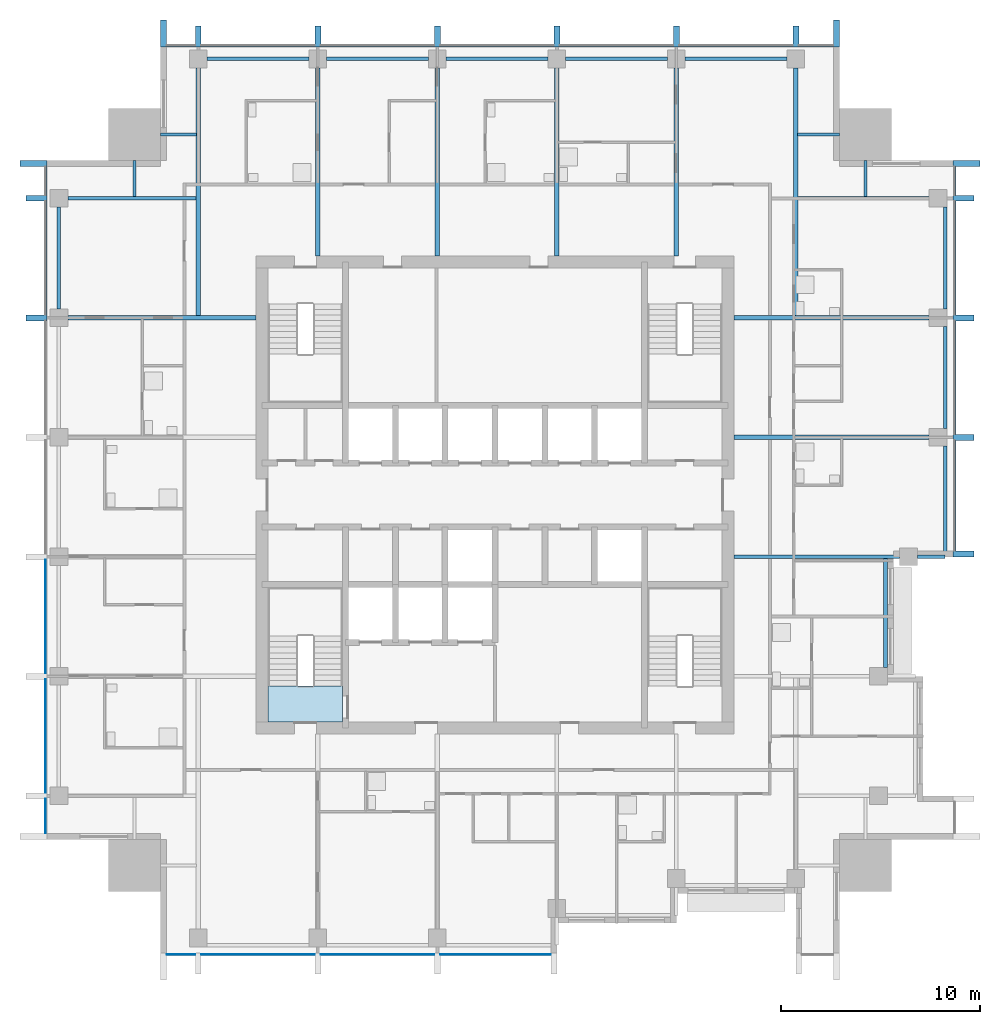
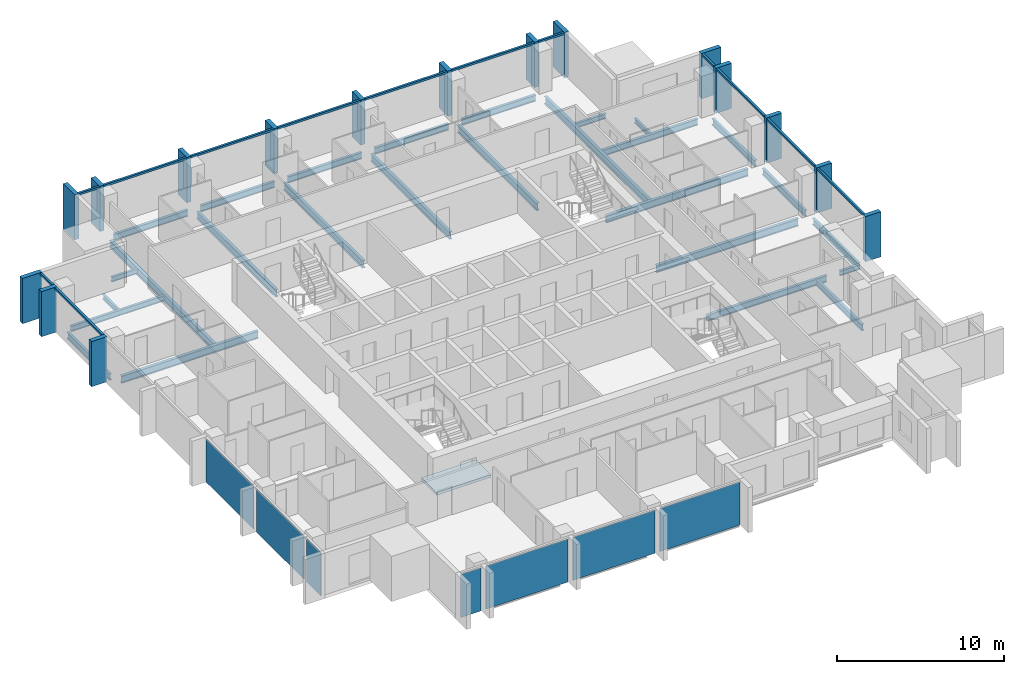
# One storey, part 2 of 10: 29 members, 27 beams, 7 plates, 1 slab, 5 elements without a shape of their own.
"""IFC4 building model written with IfcOpenShell, lengths in metres."""

from ifc_helpers import new_model, si_unit, direction, frame, origin, origin_2d, place, context, subcontext, project, spatial, polyline, rectangle, i_section, outline, extrude, material, layer, layer_set, material_profile, profile_set, type_object, element, aggregate, save


model = new_model("IFC4")

# Units and contexts
model_context = context("Model", 3, precision=1e-05, world=origin(), true_north=direction((0.0, 1.0)))
body_context = subcontext(model_context, "Body", "Model", "MODEL_VIEW")
ifc_project = project(units=[si_unit("LENGTHUNIT", "METRE"), si_unit("AREAUNIT", "SQUARE_METRE"), si_unit("VOLUMEUNIT", "CUBIC_METRE"), si_unit("PLANEANGLEUNIT", "RADIAN"), si_unit("MASSUNIT", "GRAM", prefix="KILO")], contexts=[model_context])

# Site, building, storey
site_placement = place(None, origin())
site = spatial("IfcSite", under=ifc_project, at=site_placement, CompositionType="ELEMENT")
building_placement = place(site_placement, origin())
building = spatial("IfcBuilding", under=site, at=building_placement, Name="Amberfall Residences", CompositionType="ELEMENT")
storey_placement = place(building_placement, frame((0.0, 0.0, 200.199951171875)))
storey = spatial("IfcBuildingStorey", under=building, at=storey_placement, Name="L53", CompositionType="ELEMENT", Elevation=200.199951171875)

# Curtain wall, members
ifc_material_1 = material(Name="Bronze anodised aluminium and glass", Category="aluminium")
curtain_wall_type = type_object("IfcCurtainWallType", Name="Curtain wall CW1 tower unit", PredefinedType="USERDEFINED", material=ifc_material_1)
curtain_wall_1_placement = place(storey_placement, origin())
curtain_wall_1 = element("IfcCurtainWall", 1, at=curtain_wall_1_placement, inside=storey, type_object=curtain_wall_type, Name="Curtain wall L53 E E7", ObjectType="UNITISED CURTAIN WALL", PredefinedType="USERDEFINED")
ifc_material_2 = material(Name="Bronze anodised aluminium", Category="aluminium")
ifc_material_profile_1 = material_profile(ifc_material_2, rectangle(XDim=0.14990234375, YDim=0.14990234375, at=origin_2d()), Name="CW1 transom 150 x 150 bronze")
ifc_profile_set_1 = profile_set([ifc_material_profile_1], Name="Bronze anodised aluminium")
member_type_1 = type_object("IfcMemberType", Name="CW1 transom 150 x 150 bronze", PredefinedType="USERDEFINED", material=ifc_profile_set_1)
member_1_placement = place(storey_placement, frame((97.574951171875, 42.699951171875, 2.97509765625), z_axis=(0.0, 1.0, 0.0), x_axis=(-1.0, 0.0, 0.0)))
member_1 = element("IfcMember", 2, at=member_1_placement, type_object=member_type_1, Name="CW1 transom 1.1", ObjectType="TRANSOM", PredefinedType="USERDEFINED", context=body_context, shape_type="SweptSolid", body=[
    extrude(rectangle(XDim=0.14990234375, YDim=0.14990234375, at=origin_2d()), origin(), (0.0, 0.0, 1.0), 5.550048828125),
])
member_2_placement = place(storey_placement, frame((97.574951171875, 48.550048828125, 2.97509765625), z_axis=(0.0, 1.0, 0.0), x_axis=(-1.0, 0.0, 0.0)))
member_2 = element("IfcMember", 3, at=member_2_placement, type_object=member_type_1, Name="CW1 transom 2.1", ObjectType="TRANSOM", PredefinedType="USERDEFINED", context=body_context, shape_type="SweptSolid", body=[
    extrude(rectangle(XDim=0.14990234375, YDim=0.14990234375, at=origin_2d()), origin(), (0.0, 0.0, 1.0), 5.699951171875),
])
member_3_placement = place(storey_placement, frame((97.574951171875, 54.550048828125, 2.97509765625), z_axis=(0.0, 1.0, 0.0), x_axis=(-1.0, 0.0, 0.0)))
member_3 = element("IfcMember", 4, at=member_3_placement, type_object=member_type_1, Name="CW1 transom 3.1", ObjectType="TRANSOM", PredefinedType="USERDEFINED", context=body_context, shape_type="SweptSolid", body=[
    extrude(rectangle(XDim=0.14990234375, YDim=0.14990234375, at=origin_2d()), origin(), (0.0, 0.0, 1.0), 5.699951171875),
])
member_4_placement = place(storey_placement, frame((97.574951171875, 60.550048828125, 2.97509765625), z_axis=(0.0, 1.0, 0.0), x_axis=(-1.0, 0.0, 0.0)))
member_4 = element("IfcMember", 5, at=member_4_placement, type_object=member_type_1, Name="CW1 transom 4.1", ObjectType="TRANSOM", PredefinedType="USERDEFINED", context=body_context, shape_type="SweptSolid", body=[
    extrude(rectangle(XDim=0.14990234375, YDim=0.14990234375, at=origin_2d()), origin(), (0.0, 0.0, 1.0), 1.449951171875),
])

curtain_wall_2_placement = place(storey_placement, origin())
curtain_wall_2 = element("IfcCurtainWall", 6, at=curtain_wall_2_placement, inside=storey, type_object=curtain_wall_type, Name="Curtain wall L53 N N1", ObjectType="UNITISED CURTAIN WALL", PredefinedType="USERDEFINED")
member_5_placement = place(storey_placement, frame((91.5, 68.074951171875, 2.97509765625), z_axis=(-1.0, 0.0, 0.0), x_axis=(0.0, -1.0, 0.0)))
member_5 = element("IfcMember", 7, at=member_5_placement, type_object=member_type_1, Name="CW1 transom 1.1", ObjectType="TRANSOM", PredefinedType="USERDEFINED", context=body_context, shape_type="SweptSolid", body=[
    extrude(rectangle(XDim=0.14990234375, YDim=0.14990234375, at=origin_2d()), origin(), (0.0, 0.0, 1.0), 1.75),
])
member_6_placement = place(storey_placement, frame((89.449951171875, 68.074951171875, 2.97509765625), z_axis=(-1.0, 0.0, 0.0), x_axis=(0.0, -1.0, 0.0)))
member_6 = element("IfcMember", 8, at=member_6_placement, type_object=member_type_1, Name="CW1 transom 2.1", ObjectType="TRANSOM", PredefinedType="USERDEFINED", context=body_context, shape_type="SweptSolid", body=[
    extrude(rectangle(XDim=0.14990234375, YDim=0.14990234375, at=origin_2d()), origin(), (0.0, 0.0, 1.0), 5.699951171875),
])
member_7_placement = place(storey_placement, frame((83.449951171875, 68.074951171875, 2.97509765625), z_axis=(-1.0, 0.0, 0.0), x_axis=(0.0, -1.0, 0.0)))
member_7 = element("IfcMember", 9, at=member_7_placement, type_object=member_type_1, Name="CW1 transom 3.1", ObjectType="TRANSOM", PredefinedType="USERDEFINED", context=body_context, shape_type="SweptSolid", body=[
    extrude(rectangle(XDim=0.14990234375, YDim=0.14990234375, at=origin_2d()), origin(), (0.0, 0.0, 1.0), 5.699951171875),
])
member_8_placement = place(storey_placement, frame((77.449951171875, 68.074951171875, 2.97509765625), z_axis=(-1.0, 0.0, 0.0), x_axis=(0.0, -1.0, 0.0)))
member_8 = element("IfcMember", 10, at=member_8_placement, type_object=member_type_1, Name="CW1 transom 4.1", ObjectType="TRANSOM", PredefinedType="USERDEFINED", context=body_context, shape_type="SweptSolid", body=[
    extrude(rectangle(XDim=0.14990234375, YDim=0.14990234375, at=origin_2d()), origin(), (0.0, 0.0, 1.0), 5.699951171875),
])
member_9_placement = place(storey_placement, frame((71.449951171875, 68.074951171875, 2.97509765625), z_axis=(-1.0, 0.0, 0.0), x_axis=(0.0, -1.0, 0.0)))
member_9 = element("IfcMember", 11, at=member_9_placement, type_object=member_type_1, Name="CW1 transom 5.1", ObjectType="TRANSOM", PredefinedType="USERDEFINED", context=body_context, shape_type="SweptSolid", body=[
    extrude(rectangle(XDim=0.14990234375, YDim=0.14990234375, at=origin_2d()), origin(), (0.0, 0.0, 1.0), 5.699951171875),
])
member_10_placement = place(storey_placement, frame((65.449951171875, 68.074951171875, 2.97509765625), z_axis=(-1.0, 0.0, 0.0), x_axis=(0.0, -1.0, 0.0)))
member_10 = element("IfcMember", 12, at=member_10_placement, type_object=member_type_1, Name="CW1 transom 6.1", ObjectType="TRANSOM", PredefinedType="USERDEFINED", context=body_context, shape_type="SweptSolid", body=[
    extrude(rectangle(XDim=0.14990234375, YDim=0.14990234375, at=origin_2d()), origin(), (0.0, 0.0, 1.0), 5.699951171875),
])
member_11_placement = place(storey_placement, frame((59.449951171875, 68.074951171875, 2.97509765625), z_axis=(-1.0, 0.0, 0.0), x_axis=(0.0, -1.0, 0.0)))
member_11 = element("IfcMember", 13, at=member_11_placement, type_object=member_type_1, Name="CW1 transom 7.1", ObjectType="TRANSOM", PredefinedType="USERDEFINED", context=body_context, shape_type="SweptSolid", body=[
    extrude(rectangle(XDim=0.14990234375, YDim=0.14990234375, at=origin_2d()), origin(), (0.0, 0.0, 1.0), 1.449951171875),
])

curtain_wall_3_placement = place(storey_placement, origin())
curtain_wall_3 = element("IfcCurtainWall", 14, at=curtain_wall_3_placement, inside=storey, type_object=curtain_wall_type, Name="Curtain wall L53 W W1", ObjectType="UNITISED CURTAIN WALL", PredefinedType="USERDEFINED")
member_12_placement = place(storey_placement, frame((51.925048828125, 62.0, 2.97509765625), z_axis=(0.0, -1.0, 0.0), x_axis=(1.0, 0.0, 0.0)))
member_12 = element("IfcMember", 15, at=member_12_placement, type_object=member_type_1, Name="CW1 transom 1.1", ObjectType="TRANSOM", PredefinedType="USERDEFINED", context=body_context, shape_type="SweptSolid", body=[
    extrude(rectangle(XDim=0.14990234375, YDim=0.14990234375, at=origin_2d()), origin(), (0.0, 0.0, 1.0), 1.449951171875),
])
member_13_placement = place(storey_placement, frame((51.925048828125, 60.25, 2.97509765625), z_axis=(0.0, -1.0, 0.0), x_axis=(1.0, 0.0, 0.0)))
member_13 = element("IfcMember", 16, at=member_13_placement, type_object=member_type_1, Name="CW1 transom 2.1", ObjectType="TRANSOM", PredefinedType="USERDEFINED", context=body_context, shape_type="SweptSolid", body=[
    extrude(rectangle(XDim=0.14990234375, YDim=0.14990234375, at=origin_2d()), origin(), (0.0, 0.0, 1.0), 5.699951171875),
])

# Beam
ifc_material_3 = material(Name="Steel S355", Category="steel")
ifc_material_profile_2 = material_profile(ifc_material_3, i_section(OverallWidth=0.171142578125, OverallDepth=0.351318359375, WebThickness=0.007080078125, FlangeThickness=0.009765625, FilletRadius=0.01025390625, at=origin_2d()), Name="UB 356x171x45")
ifc_profile_set_2 = profile_set([ifc_material_profile_2], Name="Steel S355")
beam_type_1 = type_object("IfcBeamType", Name="Cantilever girder UB 356x171x45", PredefinedType="BEAM", material=ifc_profile_set_2)
beam_1_placement = place(storey_placement, frame((95.699951171875, 42.39990234375, -0.425537109375), z_axis=(1.0, 0.0, 0.0), x_axis=(0.0, 1.0, 0.0)))
element("IfcBeam", 17, at=beam_1_placement, inside=storey, type_object=beam_type_1, Name="Cantilever girder B8 L53 21", PredefinedType="BEAM", context=body_context, shape_type="SweptSolid", body=[
    extrude(i_section(OverallWidth=0.171142578125, OverallDepth=0.351318359375, WebThickness=0.007080078125, FlangeThickness=0.009765625, FilletRadius=0.01025390625, at=origin_2d()), origin(), (0.0, 0.0, 1.0), 1.400146484375),
])

# Member
ifc_material_profile_3 = material_profile(ifc_material_2, rectangle(XDim=1.35009765625, YDim=0.300048828125, at=origin_2d()), Name="Corner fin 300 x 1350 bronze")
ifc_profile_set_3 = profile_set([ifc_material_profile_3], Name="Bronze anodised aluminium")
member_type_2 = type_object("IfcMemberType", Name="Corner fin 300 x 1350 bronze", PredefinedType="MULLION", material=ifc_profile_set_3)
member_14_placement = place(storey_placement, frame((98.175048828125, 62.14990234375, -0.25), z_axis=(0.0, 0.0, 1.0), x_axis=(-1.0, 0.0, 0.0)))
member_14 = element("IfcMember", 18, at=member_14_placement, type_object=member_type_2, Name="CW FIN 5", PredefinedType="MULLION", context=body_context, shape_type="SweptSolid", body=[
    extrude(rectangle(XDim=1.35009765625, YDim=0.300048828125, at=origin_2d()), origin(), (0.0, 0.0, 1.0), 3.300048828125),
])

member_15_placement = place(storey_placement, frame((91.64990234375, 68.675048828125, -0.25), z_axis=(0.0, 0.0, 1.0), x_axis=(0.0, -1.0, 0.0)))
member_15 = element("IfcMember", 19, at=member_15_placement, type_object=member_type_2, Name="CW FIN 1", PredefinedType="MULLION", context=body_context, shape_type="SweptSolid", body=[
    extrude(rectangle(XDim=1.35009765625, YDim=0.300048828125, at=origin_2d()), origin(), (0.0, 0.0, 1.0), 3.300048828125),
])

member_16_placement = place(storey_placement, frame((57.85009765625, 68.675048828125, -0.25), z_axis=(0.0, 0.0, 1.0), x_axis=(0.0, -1.0, 0.0)))
member_16 = element("IfcMember", 20, at=member_16_placement, type_object=member_type_2, Name="CW FIN 8", PredefinedType="MULLION", context=body_context, shape_type="SweptSolid", body=[
    extrude(rectangle(XDim=1.35009765625, YDim=0.300048828125, at=origin_2d()), origin(), (0.0, 0.0, 1.0), 3.300048828125),
])

member_17_placement = place(storey_placement, frame((51.324951171875, 62.14990234375, -0.25), z_axis=(0.0, 0.0, 1.0), x_axis=(1.0, 0.0, 0.0)))
member_17 = element("IfcMember", 21, at=member_17_placement, type_object=member_type_2, Name="CW FIN 1", PredefinedType="MULLION", context=body_context, shape_type="SweptSolid", body=[
    extrude(rectangle(XDim=1.35009765625, YDim=0.300048828125, at=origin_2d()), origin(), (0.0, 0.0, 1.0), 3.300048828125),
])

# Beams
ifc_material_profile_4 = material_profile(ifc_material_3, i_section(OverallWidth=0.18994140625, OverallDepth=0.453369140625, WebThickness=0.008544921875, FlangeThickness=0.0126953125, FilletRadius=0.01025390625, at=origin_2d()), Name="UB 457x191x67")
ifc_profile_set_4 = profile_set([ifc_material_profile_4], Name="Steel S355")
beam_type_2 = type_object("IfcBeamType", Name="Edge beam UB 457x191x67", PredefinedType="SPANDREL", material=ifc_profile_set_4)
for number, where, z_axis, x_axis, name in (
    (22, (94.10009765625, 36.85009765625, -0.4765625), (0.0, 1.0, 0.0), (-1.0, 0.0, 0.0), "Edge beam B1 L53 15"),
    (23, (97.10009765625, 42.47998046875, -0.4765625), (0.0, 1.0, 0.0), (-1.0, 0.0, 0.0), "Edge beam B1 L53 16"),
):
    element("IfcBeam", number, at=place(storey_placement, frame(where, z_axis=z_axis, x_axis=x_axis)), inside=storey, type_object=beam_type_2, Name=name, PredefinedType="SPANDREL", context=body_context, shape_type="SweptSolid", body=[
        extrude(i_section(OverallWidth=0.18994140625, OverallDepth=0.453369140625, WebThickness=0.008544921875, FlangeThickness=0.0126953125, FilletRadius=0.01025390625, at=origin_2d()), origin(), (0.0, 0.0, 1.0), 5.469970703125),
    ])
for number, where, z_axis, x_axis, name in (
    (24, (97.10009765625, 48.85009765625, -0.4765625), (0.0, 1.0, 0.0), (-1.0, 0.0, 0.0), "Edge beam B1 L53 17"),
    (25, (97.10009765625, 54.85009765625, -0.4765625), (0.0, 1.0, 0.0), (-1.0, 0.0, 0.0), "Edge beam B1 L53 18"),
    (26, (60.050048828125, 67.39990234375, -0.4765625), (1.0, 0.0, 0.0), (0.0, 1.0, 0.0), "Edge beam B1 L53 28"),
    (27, (66.050048828125, 67.39990234375, -0.4765625), (1.0, 0.0, 0.0), (0.0, 1.0, 0.0), "Edge beam B1 L53 29"),
    (28, (72.050048828125, 67.39990234375, -0.4765625), (1.0, 0.0, 0.0), (0.0, 1.0, 0.0), "Edge beam B1 L53 30"),
    (29, (78.050048828125, 67.39990234375, -0.4765625), (1.0, 0.0, 0.0), (0.0, 1.0, 0.0), "Edge beam B1 L53 31"),
    (30, (84.050048828125, 67.39990234375, -0.4765625), (1.0, 0.0, 0.0), (0.0, 1.0, 0.0), "Edge beam B1 L53 32"),
    (31, (52.60009765625, 54.85009765625, -0.4765625), (0.0, 1.0, 0.0), (-1.0, 0.0, 0.0), "Edge beam B1 L53 43"),
):
    element("IfcBeam", number, at=place(storey_placement, frame(where, z_axis=z_axis, x_axis=x_axis)), inside=storey, type_object=beam_type_2, Name=name, PredefinedType="SPANDREL", context=body_context, shape_type="SweptSolid", body=[
        extrude(i_section(OverallWidth=0.18994140625, OverallDepth=0.453369140625, WebThickness=0.008544921875, FlangeThickness=0.0126953125, FilletRadius=0.01025390625, at=origin_2d()), origin(), (0.0, 0.0, 1.0), 5.099853515625),
    ])

# Member
ifc_material_profile_5 = material_profile(ifc_material_2, rectangle(XDim=1.050048828125, YDim=0.300048828125, at=origin_2d()), Name="Fin 300 x 1050 bronze")
ifc_profile_set_5 = profile_set([ifc_material_profile_5], Name="Bronze anodised aluminium")
member_type_3 = type_object("IfcMemberType", Name="Fin 300 x 1050 bronze", PredefinedType="MULLION", material=ifc_profile_set_5)
member_18_placement = place(storey_placement, frame((98.02490234375, 42.550048828125, -0.25), z_axis=(0.0, 0.0, 1.0), x_axis=(-1.0, 0.0, 0.0)))
member_18 = element("IfcMember", 32, at=member_18_placement, type_object=member_type_3, Name="CW FIN 1", PredefinedType="MULLION", context=body_context, shape_type="SweptSolid", body=[
    extrude(rectangle(XDim=1.050048828125, YDim=0.300048828125, at=origin_2d()), origin(), (0.0, 0.0, 1.0), 3.300048828125),
])

member_19_placement = place(storey_placement, frame((98.02490234375, 48.39990234375, -0.25), z_axis=(0.0, 0.0, 1.0), x_axis=(-1.0, 0.0, 0.0)))
member_19 = element("IfcMember", 33, at=member_19_placement, type_object=member_type_3, Name="CW FIN 2", PredefinedType="MULLION", context=body_context, shape_type="SweptSolid", body=[
    extrude(rectangle(XDim=1.050048828125, YDim=0.300048828125, at=origin_2d()), origin(), (0.0, 0.0, 1.0), 3.300048828125),
])

member_20_placement = place(storey_placement, frame((98.02490234375, 54.39990234375, -0.25), z_axis=(0.0, 0.0, 1.0), x_axis=(-1.0, 0.0, 0.0)))
member_20 = element("IfcMember", 34, at=member_20_placement, type_object=member_type_3, Name="CW FIN 3", PredefinedType="MULLION", context=body_context, shape_type="SweptSolid", body=[
    extrude(rectangle(XDim=1.050048828125, YDim=0.300048828125, at=origin_2d()), origin(), (0.0, 0.0, 1.0), 3.300048828125),
])

member_21_placement = place(storey_placement, frame((98.02490234375, 60.39990234375, -0.25), z_axis=(0.0, 0.0, 1.0), x_axis=(-1.0, 0.0, 0.0)))
member_21 = element("IfcMember", 35, at=member_21_placement, type_object=member_type_3, Name="CW FIN 4", PredefinedType="MULLION", context=body_context, shape_type="SweptSolid", body=[
    extrude(rectangle(XDim=1.050048828125, YDim=0.300048828125, at=origin_2d()), origin(), (0.0, 0.0, 1.0), 3.300048828125),
])

aggregate(curtain_wall_1, [member_18, member_19, member_20, member_21, member_14, member_1, member_2, member_3, member_4])

member_22_placement = place(storey_placement, frame((89.60009765625, 68.52490234375, -0.25), z_axis=(0.0, 0.0, 1.0), x_axis=(0.0, -1.0, 0.0)))
member_22 = element("IfcMember", 36, at=member_22_placement, type_object=member_type_3, Name="CW FIN 2", PredefinedType="MULLION", context=body_context, shape_type="SweptSolid", body=[
    extrude(rectangle(XDim=1.050048828125, YDim=0.300048828125, at=origin_2d()), origin(), (0.0, 0.0, 1.0), 3.300048828125),
])

member_23_placement = place(storey_placement, frame((83.60009765625, 68.52490234375, -0.25), z_axis=(0.0, 0.0, 1.0), x_axis=(0.0, -1.0, 0.0)))
member_23 = element("IfcMember", 37, at=member_23_placement, type_object=member_type_3, Name="CW FIN 3", PredefinedType="MULLION", context=body_context, shape_type="SweptSolid", body=[
    extrude(rectangle(XDim=1.050048828125, YDim=0.300048828125, at=origin_2d()), origin(), (0.0, 0.0, 1.0), 3.300048828125),
])

member_24_placement = place(storey_placement, frame((77.60009765625, 68.52490234375, -0.25), z_axis=(0.0, 0.0, 1.0), x_axis=(0.0, -1.0, 0.0)))
member_24 = element("IfcMember", 38, at=member_24_placement, type_object=member_type_3, Name="CW FIN 4", PredefinedType="MULLION", context=body_context, shape_type="SweptSolid", body=[
    extrude(rectangle(XDim=1.050048828125, YDim=0.300048828125, at=origin_2d()), origin(), (0.0, 0.0, 1.0), 3.300048828125),
])

member_25_placement = place(storey_placement, frame((71.60009765625, 68.52490234375, -0.25), z_axis=(0.0, 0.0, 1.0), x_axis=(0.0, -1.0, 0.0)))
member_25 = element("IfcMember", 39, at=member_25_placement, type_object=member_type_3, Name="CW FIN 5", PredefinedType="MULLION", context=body_context, shape_type="SweptSolid", body=[
    extrude(rectangle(XDim=1.050048828125, YDim=0.300048828125, at=origin_2d()), origin(), (0.0, 0.0, 1.0), 3.300048828125),
])

member_26_placement = place(storey_placement, frame((65.60009765625, 68.52490234375, -0.25), z_axis=(0.0, 0.0, 1.0), x_axis=(0.0, -1.0, 0.0)))
member_26 = element("IfcMember", 40, at=member_26_placement, type_object=member_type_3, Name="CW FIN 6", PredefinedType="MULLION", context=body_context, shape_type="SweptSolid", body=[
    extrude(rectangle(XDim=1.050048828125, YDim=0.300048828125, at=origin_2d()), origin(), (0.0, 0.0, 1.0), 3.300048828125),
])

member_27_placement = place(storey_placement, frame((59.60009765625, 68.52490234375, -0.25), z_axis=(0.0, 0.0, 1.0), x_axis=(0.0, -1.0, 0.0)))
member_27 = element("IfcMember", 41, at=member_27_placement, type_object=member_type_3, Name="CW FIN 7", PredefinedType="MULLION", context=body_context, shape_type="SweptSolid", body=[
    extrude(rectangle(XDim=1.050048828125, YDim=0.300048828125, at=origin_2d()), origin(), (0.0, 0.0, 1.0), 3.300048828125),
])

aggregate(curtain_wall_2, [member_15, member_22, member_23, member_24, member_25, member_26, member_27, member_16, member_5, member_6, member_7, member_8, member_9, member_10, member_11])

member_28_placement = place(storey_placement, frame((51.47509765625, 60.39990234375, -0.25), z_axis=(0.0, 0.0, 1.0), x_axis=(1.0, 0.0, 0.0)))
member_28 = element("IfcMember", 42, at=member_28_placement, type_object=member_type_3, Name="CW FIN 2", PredefinedType="MULLION", context=body_context, shape_type="SweptSolid", body=[
    extrude(rectangle(XDim=1.050048828125, YDim=0.300048828125, at=origin_2d()), origin(), (0.0, 0.0, 1.0), 3.300048828125),
])

member_29_placement = place(storey_placement, frame((51.47509765625, 54.39990234375, -0.25), z_axis=(0.0, 0.0, 1.0), x_axis=(1.0, 0.0, 0.0)))
member_29 = element("IfcMember", 43, at=member_29_placement, type_object=member_type_3, Name="CW FIN 3", PredefinedType="MULLION", context=body_context, shape_type="SweptSolid", body=[
    extrude(rectangle(XDim=1.050048828125, YDim=0.300048828125, at=origin_2d()), origin(), (0.0, 0.0, 1.0), 3.300048828125),
])

# Beams
ifc_material_profile_6 = material_profile(ifc_material_3, i_section(OverallWidth=0.177734375, OverallDepth=0.402587890625, WebThickness=0.0078125, FlangeThickness=0.010986328125, FilletRadius=0.01025390625, at=origin_2d()), Name="UB 406x178x54")
ifc_profile_set_6 = profile_set([ifc_material_profile_6], Name="Steel S355")
beam_type_3 = type_object("IfcBeamType", Name="Floor girder UB 406x178x54", PredefinedType="BEAM", material=ifc_profile_set_6)
beam_2_placement = place(storey_placement, frame((53.050048828125, 60.39990234375, -0.451171875), z_axis=(1.0, 0.0, 0.0), x_axis=(0.0, 1.0, 0.0)))
element("IfcBeam", 44, at=beam_2_placement, inside=storey, type_object=beam_type_3, Name="Floor girder B4 L53 49", PredefinedType="BEAM", context=body_context, shape_type="SweptSolid", body=[
    extrude(i_section(OverallWidth=0.177734375, OverallDepth=0.402587890625, WebThickness=0.0078125, FlangeThickness=0.010986328125, FilletRadius=0.01025390625, at=origin_2d()), origin(), (0.0, 0.0, 1.0), 6.429931640625),
])
ifc_material_profile_7 = material_profile(ifc_material_3, i_section(OverallWidth=0.19140625, OverallDepth=0.4599609375, WebThickness=0.010009765625, FlangeThickness=0.01611328125, FilletRadius=0.01025390625, at=origin_2d()), Name="UB 457x191x82")
ifc_profile_set_7 = profile_set([ifc_material_profile_7], Name="Steel S355")
beam_type_4 = type_object("IfcBeamType", Name="Floor girder UB 457x191x82", PredefinedType="BEAM", material=ifc_profile_set_7)
beam_3_placement = place(storey_placement, frame((94.800048828125, 42.39990234375, -0.47998046875), z_axis=(-1.0, 0.0, 0.0), x_axis=(0.0, -1.0, 0.0)))
element("IfcBeam", 45, at=beam_3_placement, inside=storey, type_object=beam_type_4, Name="Floor girder B10 L53 24", PredefinedType="BEAM", context=body_context, shape_type="SweptSolid", body=[
    extrude(i_section(OverallWidth=0.19140625, OverallDepth=0.4599609375, WebThickness=0.010009765625, FlangeThickness=0.01611328125, FilletRadius=0.01025390625, at=origin_2d()), origin(), (0.0, 0.0, 1.0), 8.300048828125),
])
beam_4_placement = place(storey_placement, frame((96.300048828125, 60.39990234375, -0.47998046875), z_axis=(-1.0, 0.0, 0.0), x_axis=(0.0, -1.0, 0.0)))
element("IfcBeam", 46, at=beam_4_placement, inside=storey, type_object=beam_type_4, Name="Floor girder B10 L53 27", PredefinedType="BEAM", context=body_context, shape_type="SweptSolid", body=[
    extrude(i_section(OverallWidth=0.19140625, OverallDepth=0.4599609375, WebThickness=0.010009765625, FlangeThickness=0.01611328125, FilletRadius=0.01025390625, at=origin_2d()), origin(), (0.0, 0.0, 1.0), 6.580078125),
])
ifc_material_profile_8 = material_profile(ifc_material_3, i_section(OverallWidth=0.210693359375, OverallDepth=0.53955078125, WebThickness=0.01171875, FlangeThickness=0.018798828125, FilletRadius=0.0126953125, at=origin_2d()), Name="UB 533x210x109")
ifc_profile_set_8 = profile_set([ifc_material_profile_8], Name="Steel S355")
beam_type_5 = type_object("IfcBeamType", Name="Floor girder UB 533x210x109", PredefinedType="BEAM", material=ifc_profile_set_8)
for number, where, z_axis, x_axis, name in (
    (47, (59.60009765625, 66.949951171875, -0.519775390625), (0.0, -1.0, 0.0), (1.0, 0.0, 0.0), "Floor girder B2 L53 33"),
    (48, (89.60009765625, 66.949951171875, -0.519775390625), (0.0, -1.0, 0.0), (1.0, 0.0, 0.0), "Floor girder B2 L53 38"),
):
    element("IfcBeam", number, at=place(storey_placement, frame(where, z_axis=z_axis, x_axis=x_axis)), inside=storey, type_object=beam_type_5, Name=name, PredefinedType="BEAM", context=body_context, shape_type="SweptSolid", body=[
        extrude(i_section(OverallWidth=0.210693359375, OverallDepth=0.53955078125, WebThickness=0.01171875, FlangeThickness=0.018798828125, FilletRadius=0.0126953125, at=origin_2d()), origin(), (0.0, 0.0, 1.0), 12.450439453125),
    ])
ifc_material_profile_9 = material_profile(ifc_material_3, i_section(OverallWidth=0.209228515625, OverallDepth=0.533203125, WebThickness=0.010009765625, FlangeThickness=0.015625, FilletRadius=0.0126953125, at=origin_2d()), Name="UB 533x210x92")
ifc_profile_set_9 = profile_set([ifc_material_profile_9], Name="Steel S355")
beam_type_6 = type_object("IfcBeamType", Name="Floor girder UB 533x210x92", PredefinedType="BEAM", material=ifc_profile_set_9)
for number, where, z_axis, x_axis, name in (
    (49, (96.300048828125, 48.39990234375, -0.5166015625), (-1.0, 0.0, 0.0), (0.0, -1.0, 0.0), "Floor girder B3 L53 25"),
    (50, (96.300048828125, 54.39990234375, -0.5166015625), (-1.0, 0.0, 0.0), (0.0, -1.0, 0.0), "Floor girder B3 L53 26"),
):
    element("IfcBeam", number, at=place(storey_placement, frame(where, z_axis=z_axis, x_axis=x_axis)), inside=storey, type_object=beam_type_6, Name=name, PredefinedType="BEAM", context=body_context, shape_type="SweptSolid", body=[
        extrude(i_section(OverallWidth=0.209228515625, OverallDepth=0.533203125, WebThickness=0.010009765625, FlangeThickness=0.015625, FilletRadius=0.0126953125, at=origin_2d()), origin(), (0.0, 0.0, 1.0), 9.800048828125),
    ])
for number, where, z_axis, x_axis, name in (
    (51, (65.60009765625, 66.949951171875, -0.5166015625), (0.0, -1.0, 0.0), (1.0, 0.0, 0.0), "Floor girder B3 L53 34"),
    (52, (71.60009765625, 66.949951171875, -0.5166015625), (0.0, -1.0, 0.0), (1.0, 0.0, 0.0), "Floor girder B3 L53 35"),
    (53, (77.60009765625, 66.949951171875, -0.5166015625), (0.0, -1.0, 0.0), (1.0, 0.0, 0.0), "Floor girder B3 L53 36"),
    (54, (83.60009765625, 66.949951171875, -0.5166015625), (0.0, -1.0, 0.0), (1.0, 0.0, 0.0), "Floor girder B3 L53 37"),
    (55, (53.050048828125, 54.39990234375, -0.5166015625), (1.0, 0.0, 0.0), (0.0, 1.0, 0.0), "Floor girder B3 L53 48"),
):
    element("IfcBeam", number, at=place(storey_placement, frame(where, z_axis=z_axis, x_axis=x_axis)), inside=storey, type_object=beam_type_6, Name=name, PredefinedType="BEAM", context=body_context, shape_type="SweptSolid", body=[
        extrude(i_section(OverallWidth=0.209228515625, OverallDepth=0.533203125, WebThickness=0.010009765625, FlangeThickness=0.015625, FilletRadius=0.0126953125, at=origin_2d()), origin(), (0.0, 0.0, 1.0), 9.449951171875),
    ])
ifc_material_profile_10 = material_profile(ifc_material_3, i_section(OverallWidth=0.171142578125, OverallDepth=0.351318359375, WebThickness=0.007080078125, FlangeThickness=0.009765625, FilletRadius=0.01025390625, at=origin_2d()), Name="UB 356x171x45")
ifc_profile_set_10 = profile_set([ifc_material_profile_10], Name="Steel S355")
beam_type_7 = type_object("IfcBeamType", Name="Link beam UB 356x171x45", PredefinedType="BEAM", material=ifc_profile_set_10)
beam_5_placement = place(storey_placement, frame((91.800048828125, 63.60009765625, -0.425537109375), z_axis=(-1.0, 0.0, 0.0), x_axis=(0.0, -1.0, 0.0)))
element("IfcBeam", 56, at=beam_5_placement, inside=storey, type_object=beam_type_7, Name="Link beam B7 L53 54", PredefinedType="BEAM", context=body_context, shape_type="SweptSolid", body=[
    extrude(i_section(OverallWidth=0.171142578125, OverallDepth=0.351318359375, WebThickness=0.007080078125, FlangeThickness=0.009765625, FilletRadius=0.01025390625, at=origin_2d()), origin(), (0.0, 0.0, 1.0), 2.104736328125),
])
beam_6_placement = place(storey_placement, frame((93.10009765625, 62.300048828125, -0.425537109375), z_axis=(0.0, -1.0, 0.0), x_axis=(1.0, 0.0, 0.0)))
element("IfcBeam", 57, at=beam_6_placement, inside=storey, type_object=beam_type_7, Name="Link beam B7 L53 55", PredefinedType="BEAM", context=body_context, shape_type="SweptSolid", body=[
    extrude(i_section(OverallWidth=0.171142578125, OverallDepth=0.351318359375, WebThickness=0.007080078125, FlangeThickness=0.009765625, FilletRadius=0.01025390625, at=origin_2d()), origin(), (0.0, 0.0, 1.0), 1.814453125),
])
beam_7_placement = place(storey_placement, frame((57.699951171875, 63.60009765625, -0.425537109375), z_axis=(1.0, 0.0, 0.0), x_axis=(0.0, 1.0, 0.0)))
element("IfcBeam", 58, at=beam_7_placement, inside=storey, type_object=beam_type_7, Name="Link beam B7 L53 56", PredefinedType="BEAM", context=body_context, shape_type="SweptSolid", body=[
    extrude(i_section(OverallWidth=0.171142578125, OverallDepth=0.351318359375, WebThickness=0.007080078125, FlangeThickness=0.009765625, FilletRadius=0.01025390625, at=origin_2d()), origin(), (0.0, 0.0, 1.0), 1.8046875),
])
beam_8_placement = place(storey_placement, frame((56.39990234375, 62.300048828125, -0.425537109375), z_axis=(0.0, -1.0, 0.0), x_axis=(1.0, 0.0, 0.0)))
element("IfcBeam", 59, at=beam_8_placement, inside=storey, type_object=beam_type_7, Name="Link beam B7 L53 57", PredefinedType="BEAM", context=body_context, shape_type="SweptSolid", body=[
    extrude(i_section(OverallWidth=0.171142578125, OverallDepth=0.351318359375, WebThickness=0.007080078125, FlangeThickness=0.009765625, FilletRadius=0.01025390625, at=origin_2d()), origin(), (0.0, 0.0, 1.0), 1.821044921875),
])

# Curtain wall, plates
curtain_wall_4_placement = place(storey_placement, origin())
curtain_wall_4 = element("IfcCurtainWall", 60, at=curtain_wall_4_placement, inside=storey, type_object=curtain_wall_type, Name="Curtain wall L53 S S1", ObjectType="UNITISED CURTAIN WALL", PredefinedType="USERDEFINED")
ifc_material_4 = material(Name="Tinted double glazed unit", Category="glass")
ifc_layer_1 = layer(ifc_material_4, 0.035888671875)
ifc_layer_set_1 = layer_set([ifc_layer_1], Name="CW1 panel 36 glazing")
plate_type = type_object("IfcPlateType", Name="CW1 panel 36 glazing", PredefinedType="CURTAIN_PANEL", material=ifc_layer_set_1)
plate_1_placement = place(storey_placement, frame((58.72509765625, 22.425048828125, -0.25), z_axis=(0.0, 0.0, 1.0), x_axis=(1.0, 0.0, 0.0)))
plate_1 = element("IfcPlate", 61, at=plate_1_placement, type_object=plate_type, Name="CW1 panel 1.1", PredefinedType="CURTAIN_PANEL", context=body_context, shape_type="SweptSolid", body=[
    extrude(rectangle(XDim=1.426025390625, YDim=0.035888671875, at=origin_2d()), origin(), (0.0, 0.0, 1.0), 3.14990234375),
])
plate_2_placement = place(storey_placement, frame((62.60009765625, 22.425048828125, -0.25), z_axis=(0.0, 0.0, 1.0), x_axis=(1.0, 0.0, 0.0)))
plate_2 = element("IfcPlate", 62, at=plate_2_placement, type_object=plate_type, Name="CW1 panel 2.1", PredefinedType="CURTAIN_PANEL", context=body_context, shape_type="SweptSolid", body=[
    extrude(rectangle(XDim=5.676025390625, YDim=0.035888671875, at=origin_2d()), origin(), (0.0, 0.0, 1.0), 3.14990234375),
])
plate_3_placement = place(storey_placement, frame((68.60009765625, 22.425048828125, -0.25), z_axis=(0.0, 0.0, 1.0), x_axis=(1.0, 0.0, 0.0)))
plate_3 = element("IfcPlate", 63, at=plate_3_placement, type_object=plate_type, Name="CW1 panel 3.1", PredefinedType="CURTAIN_PANEL", context=body_context, shape_type="SweptSolid", body=[
    extrude(rectangle(XDim=5.676025390625, YDim=0.035888671875, at=origin_2d()), origin(), (0.0, 0.0, 1.0), 3.14990234375),
])
plate_4_placement = place(storey_placement, frame((74.52490234375, 22.425048828125, -0.25), z_axis=(0.0, 0.0, 1.0), x_axis=(1.0, 0.0, 0.0)))
plate_4 = element("IfcPlate", 64, at=plate_4_placement, type_object=plate_type, Name="CW1 panel 4.1", PredefinedType="CURTAIN_PANEL", context=body_context, shape_type="SweptSolid", body=[
    extrude(rectangle(XDim=5.52587890625, YDim=0.035888671875, at=origin_2d()), origin(), (0.0, 0.0, 1.0), 3.14990234375),
])
aggregate(curtain_wall_4, [plate_1, plate_2, plate_3, plate_4])

# Plate
plate_5_placement = place(storey_placement, frame((51.925048828125, 39.39990234375, -0.25), z_axis=(0.0, 0.0, 1.0), x_axis=(0.0, -1.0, 0.0)))
plate_5 = element("IfcPlate", 65, at=plate_5_placement, type_object=plate_type, Name="CW1 panel 5.1", PredefinedType="CURTAIN_PANEL", context=body_context, shape_type="SweptSolid", body=[
    extrude(rectangle(XDim=5.676025390625, YDim=0.035888671875, at=origin_2d()), origin(), (0.0, 0.0, 1.0), 3.14990234375),
])

plate_6_placement = place(storey_placement, frame((51.925048828125, 33.39990234375, -0.25), z_axis=(0.0, 0.0, 1.0), x_axis=(0.0, -1.0, 0.0)))
plate_6 = element("IfcPlate", 66, at=plate_6_placement, type_object=plate_type, Name="CW1 panel 6.1", PredefinedType="CURTAIN_PANEL", context=body_context, shape_type="SweptSolid", body=[
    extrude(rectangle(XDim=5.676025390625, YDim=0.035888671875, at=origin_2d()), origin(), (0.0, 0.0, 1.0), 3.14990234375),
])

plate_7_placement = place(storey_placement, frame((51.925048828125, 29.375, -0.25), z_axis=(0.0, 0.0, 1.0), x_axis=(0.0, -1.0, 0.0)))
plate_7 = element("IfcPlate", 67, at=plate_7_placement, type_object=plate_type, Name="CW1 panel 7.1", PredefinedType="CURTAIN_PANEL", context=body_context, shape_type="SweptSolid", body=[
    extrude(rectangle(XDim=1.72607421875, YDim=0.035888671875, at=origin_2d()), origin(), (0.0, 0.0, 1.0), 3.14990234375),
])

aggregate(curtain_wall_3, [member_17, member_28, member_29, member_12, member_13, plate_5, plate_6, plate_7])

# Stair, slab
ifc_material_5 = material(Name="Concrete C40", Category="concrete")
stair_type = type_object("IfcStairType", Name="Exit stair 20 risers 165.0 mm", PredefinedType="HALF_TURN_STAIR", material=ifc_material_5)
stair_placement = place(storey_placement, origin())
stair = element("IfcStair", 68, at=stair_placement, inside=storey, type_object=stair_type, Name="L53 Exit stair 1", PredefinedType="HALF_TURN_STAIR")
ifc_layer_2 = layer(ifc_material_5, 0.199951171875)
ifc_layer_set_2 = layer_set([ifc_layer_2], Name="Stair landing 200")
slab_type = type_object("IfcSlabType", Name="Stair landing 200", PredefinedType="LANDING", material=ifc_layer_set_2)
slab_placement = place(storey_placement, frame((0.0, 0.0, -0.199951171875)))
slab = element("IfcSlab", 69, at=slab_placement, type_object=slab_type, Name="ST3 landing 2", PredefinedType="LANDING", context=body_context, shape_type="SweptSolid", body=[
    extrude(outline(polyline([(66.85009765625, 34.10009765625), (66.85009765625, 35.89990234375), (63.10009765625, 35.89990234375), (63.10009765625, 34.10009765625), (66.85009765625, 34.10009765625)])), origin(), (0.0, 0.0, 1.0), 0.199951171875),
])
aggregate(stair, [slab])

save(model, "model.ifc")
